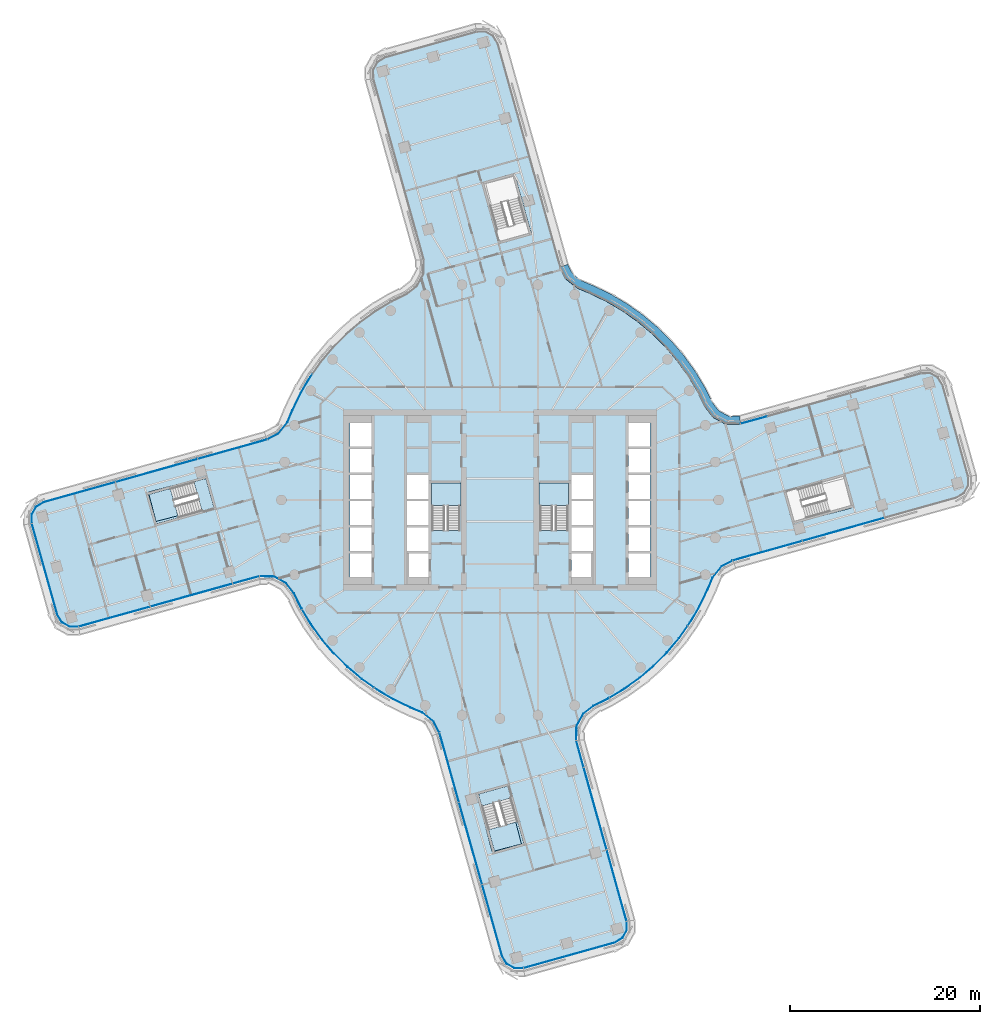
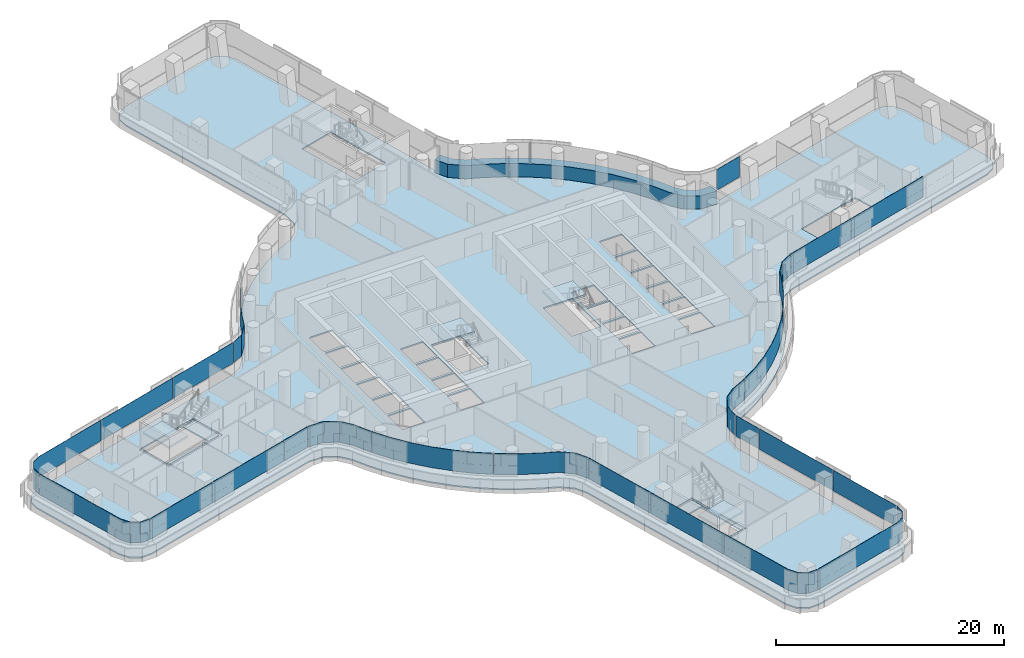
# One storey, part 16 of 30: 24 plates, 7 slabs, 1 member, 16 elements without a shape of their own.
"""IFC4 building model written with IfcOpenShell, lengths in metres."""

from ifc_helpers import new_model, si_unit, direction, frame, origin, place, context, subcontext, project, spatial, polyline, outline, extrude, material, layer, layer_set, type_object, element, aggregate, save


model = new_model("IFC4")

# Units and contexts
model_context = context("Model", 3, precision=1e-05, world=origin(), true_north=direction((0.0, 1.0)))
body_context = subcontext(model_context, "Body", "Model", "MODEL_VIEW")
ifc_project = project(units=[si_unit("LENGTHUNIT", "METRE"), si_unit("AREAUNIT", "SQUARE_METRE"), si_unit("VOLUMEUNIT", "CUBIC_METRE"), si_unit("PLANEANGLEUNIT", "RADIAN"), si_unit("MASSUNIT", "GRAM", prefix="KILO")], contexts=[model_context])

# Site, building, storey
site_placement = place(None, origin())
site = spatial("IfcSite", under=ifc_project, at=site_placement, CompositionType="ELEMENT")
building_placement = place(site_placement, origin())
building = spatial("IfcBuilding", under=site, at=building_placement, Name="Tamarind Cross Interchange Tower", CompositionType="ELEMENT")
storey_placement = place(building_placement, frame((0.0, 0.0, 91.0)))
storey = spatial("IfcBuildingStorey", under=building, at=storey_placement, Name="L21", CompositionType="ELEMENT", Elevation=91.0)

# Curtain wall, member
ifc_material_1 = material(Name="Aluminium 6063-T6", Category="aluminium")
ifc_layer_1 = layer(ifc_material_1, 0.159912109375)
ifc_layer_set_1 = layer_set([ifc_layer_1], Name="Aluminium 6063-T6")
curtain_wall_type = type_object("IfcCurtainWallType", Name="Office curtain wall, 9.0 m bays", PredefinedType="NOTDEFINED", material=ifc_layer_set_1)
curtain_wall_1_placement = place(storey_placement, origin())
curtain_wall_1 = element("IfcCurtainWall", 1, at=curtain_wall_1_placement, inside=storey, type_object=curtain_wall_type, Name="CWS-L21-06", PredefinedType="NOTDEFINED")
ifc_material_2 = material(Name="Aluminium and insulated spandrel panel", Category="aluminium")
member_type = type_object("IfcMemberType", Name="Floor-edge blade transom", PredefinedType="USERDEFINED", material=ifc_material_2)
member_placement = place(storey_placement, origin())
member = element("IfcMember", 2, at=member_placement, type_object=member_type, Name="CWT-L21-06", ObjectType="TRANSOM", PredefinedType="USERDEFINED", context=body_context, shape_type="SweptSolid", body=[
    extrude(outline(polyline([(25.32861328125, 7.920166015625), (23.739013671875, 7.9658203125), (22.4296875, 8.677734375), (21.595947265625, 9.740478515625), (20.791015625, 11.367431640625), (19.78125, 13.045654296875), (18.636474609375, 14.634521484375), (17.3642578125, 16.12353515625), (15.973388671875, 17.50244140625), (14.4736328125, 18.76171875), (12.874755859375, 19.892822265625), (11.188232421875, 20.88818359375), (9.421875, 21.7421875), (8.130126953125, 22.275390625), (6.89794921875, 23.25927734375), (6.27001953125, 24.455078125), (7.11083984375, 24.78955078125), (7.607177734375, 23.844970703125), (8.591796875, 23.058349609375), (9.789794921875, 22.56396484375), (11.613525390625, 21.68212890625), (13.3642578125, 20.64892578125), (15.023681640625, 19.474853515625), (16.580810546875, 18.167724609375), (18.0244140625, 16.736572265625), (19.344970703125, 15.19091796875), (20.533203125, 13.54150390625), (21.581298828125, 11.7998046875), (22.361328125, 10.222900390625), (23.02294921875, 9.379638671875), (23.97998046875, 8.859375), (25.218017578125, 8.82373046875), (25.32861328125, 7.920166015625)])), origin(), (0.0, 0.0, 1.0), 1.39990234375),
])
aggregate(curtain_wall_1, [member])

# Slabs
ifc_material_3 = material(Name="Concrete C35", Category="concrete")
ifc_layer_2 = layer(ifc_material_3, 0.139892578125)
ifc_layer_set_2 = layer_set([ifc_layer_2], Name="Concrete C35")
slab_type_1 = type_object("IfcSlabType", Name="Composite slab 140 Concrete C35", PredefinedType="FLOOR", material=ifc_layer_set_2)
slab_1_placement = place(storey_placement, frame((0.0, 0.0, -0.139892578125)))
element("IfcSlab", 3, at=slab_1_placement, inside=storey, type_object=slab_type_1, Name="Floor slab L21", PredefinedType="FLOOR", context=body_context, shape_type="SweptSolid", body=[
    extrude(outline(polyline([(-7.134521484375, -23.45458984375), (-6.55029296875, -24.566650390625), (0.044189453125, -48.07080078125), (0.572265625, -48.96142578125), (1.474853515625, -49.468505859375), (2.510009765625, -49.456298828125), (12.13818359375, -46.7548828125), (13.02880859375, -46.226806640625), (13.535888671875, -45.32421875), (13.523681640625, -44.2890625), (8.221435546875, -25.291748046875), (8.263671875, -23.8193359375), (8.911865234375, -22.62744140625), (9.9013671875, -21.85107421875), (11.511474609375, -21.054443359375), (13.2109375, -20.031982421875), (14.820068359375, -18.87255859375), (16.327880859375, -17.584228515625), (17.72412109375, -16.17578125), (18.99951171875, -14.656982421875), (20.14501953125, -13.0380859375), (21.15283203125, -11.329833984375), (22.01611328125, -9.54443359375), (22.536376953125, -8.2841796875), (23.45458984375, -7.134521484375), (24.566650390625, -6.55029296875), (48.07080078125, 0.044189453125), (48.96142578125, 0.572265625), (49.468505859375, 1.474853515625), (49.456298828125, 2.510009765625), (46.7548828125, 12.13818359375), (46.226806640625, 13.02880859375), (45.32421875, 13.535888671875), (44.2890625, 13.523681640625), (25.291748046875, 8.221435546875), (23.8193359375, 8.263671875), (22.62744140625, 8.911865234375), (21.85107421875, 9.9013671875), (21.054443359375, 11.511474609375), (20.031982421875, 13.2109375), (18.87255859375, 14.820068359375), (17.584228515625, 16.327880859375), (16.17578125, 17.72412109375), (14.656982421875, 18.99951171875), (13.0380859375, 20.14501953125), (11.329833984375, 21.15283203125), (9.54443359375, 22.01611328125), (8.2841796875, 22.536376953125), (7.134521484375, 23.45458984375), (6.55029296875, 24.566650390625), (-0.044189453125, 48.07080078125), (-0.572265625, 48.96142578125), (-1.474853515625, 49.468505859375), (-2.510009765625, 49.456298828125), (-12.13818359375, 46.7548828125), (-13.02880859375, 46.226806640625), (-13.535888671875, 45.32421875), (-13.523681640625, 44.2890625), (-8.221435546875, 25.291748046875), (-8.263671875, 23.8193359375), (-8.911865234375, 22.62744140625), (-9.9013671875, 21.85107421875), (-11.511474609375, 21.054443359375), (-13.2109375, 20.031982421875), (-14.820068359375, 18.87255859375), (-16.327880859375, 17.584228515625), (-17.72412109375, 16.17578125), (-18.99951171875, 14.656982421875), (-20.14501953125, 13.0380859375), (-21.15283203125, 11.329833984375), (-22.01611328125, 9.54443359375), (-22.536376953125, 8.2841796875), (-23.45458984375, 7.134521484375), (-24.566650390625, 6.55029296875), (-48.07080078125, -0.044189453125), (-48.96142578125, -0.572265625), (-49.468505859375, -1.474853515625), (-49.456298828125, -2.510009765625), (-46.7548828125, -12.13818359375), (-46.226806640625, -13.02880859375), (-45.32421875, -13.535888671875), (-44.2890625, -13.523681640625), (-25.291748046875, -8.221435546875), (-23.8193359375, -8.263671875), (-22.62744140625, -8.911865234375), (-21.85107421875, -9.9013671875), (-21.054443359375, -11.511474609375), (-20.031982421875, -13.2109375), (-18.87255859375, -14.820068359375), (-17.584228515625, -16.327880859375), (-16.17578125, -17.72412109375), (-14.656982421875, -18.99951171875), (-13.0380859375, -20.14501953125), (-11.329833984375, -21.15283203125), (-9.54443359375, -22.01611328125), (-8.2841796875, -22.536376953125), (-7.134521484375, -23.45458984375)]), holes=[polyline([(-13.5, -8.125), (-15.800048828125, -8.125), (-15.800048828125, -5.625), (-13.5, -5.625), (-13.5, -8.125)]), polyline([(-13.5, -5.375), (-15.800048828125, -5.375), (-15.800048828125, -2.875), (-13.5, -2.875), (-13.5, -5.375)]), polyline([(-7.5, -5.375), (-9.800048828125, -5.375), (-9.800048828125, -2.875), (-7.5, -2.875), (-7.5, -5.375)]), polyline([(-29.834228515625, -0.95166015625), (-36.28515625, -2.761474609375), (-36.339111328125, -2.56884765625), (-37.20361328125, 0.51220703125), (-37.257568359375, 0.70458984375), (-36.98291015625, 0.78173828125), (-36.998291015625, 0.83984375), (-33.815185546875, 1.67041015625), (-30.806640625, 2.514404296875), (-30.752685546875, 2.322021484375), (-29.88818359375, -0.759033203125), (-29.834228515625, -0.95166015625)]), polyline([(-15.800048828125, -2.625), (-15.800048828125, -0.125), (-13.5, -0.125), (-13.5, -2.625), (-15.800048828125, -2.625)]), polyline([(-7.5, -2.625), (-9.800048828125, -2.625), (-9.800048828125, -0.125), (-7.5, -0.125), (-7.5, -2.625)]), polyline([(-15.800048828125, 0.125), (-15.800048828125, 2.625), (-13.5, 2.625), (-13.5, 0.125), (-15.800048828125, 0.125)]), polyline([(-7.5, 0.125), (-9.800048828125, 0.125), (-9.800048828125, 2.625), (-7.5, 2.625), (-7.5, 0.125)]), polyline([(-13.5, 2.875), (-15.800048828125, 2.875), (-15.800048828125, 5.375), (-13.5, 5.375), (-13.5, 2.875)]), polyline([(-15.800048828125, 5.625), (-15.800048828125, 8.125), (-13.5, 8.125), (-13.5, 5.625), (-15.800048828125, 5.625)]), polyline([(-1.67041015625, -33.815185546875), (-2.514404296875, -30.806640625), (-2.322021484375, -30.752685546875), (0.759033203125, -29.88818359375), (0.95166015625, -29.834228515625), (2.761474609375, -36.28515625), (2.56884765625, -36.339111328125), (-0.51220703125, -37.20361328125), (-0.70458984375, -37.257568359375), (-0.78173828125, -36.98291015625), (-0.839599609375, -36.998291015625), (-1.67041015625, -33.815185546875)]), polyline([(-9.800048828125, -8.125), (-9.800048828125, -5.625), (-7.5, -5.625), (-7.5, -8.125), (-9.800048828125, -8.125)]), polyline([(9.800048828125, -0.125), (9.800048828125, -2.625), (7.5, -2.625), (7.5, -0.125), (9.800048828125, -0.125)]), polyline([(-4.199951171875, 1.800048828125), (-4.199951171875, -3.18798828125), (-7.14990234375, -3.18798828125), (-7.14990234375, 1.800048828125), (-4.199951171875, 1.800048828125)]), polyline([(7.14990234375, 1.800048828125), (7.14990234375, -3.18798828125), (4.199951171875, -3.18798828125), (4.199951171875, 1.800048828125), (7.14990234375, 1.800048828125)]), polyline([(-1.951171875, 33.396484375), (-1.758544921875, 33.45068359375), (1.322509765625, 34.315185546875), (1.51513671875, 34.369140625), (1.59228515625, 34.093994140625), (1.597412109375, 34.095458984375), (1.67041015625, 33.815185546875), (3.324951171875, 27.918212890625), (3.13232421875, 27.8642578125), (0.05126953125, 26.999755859375), (-0.14111328125, 26.94580078125), (-1.951171875, 33.396484375)]), polyline([(7.5, -5.625), (9.800048828125, -5.625), (9.800048828125, -8.125), (7.5, -8.125), (7.5, -5.625)]), polyline([(15.800048828125, -5.625), (15.800048828125, -8.125), (13.5, -8.125), (13.5, -5.625), (15.800048828125, -5.625)]), polyline([(9.800048828125, -2.875), (9.800048828125, -5.375), (7.5, -5.375), (7.5, -2.875), (9.800048828125, -2.875)]), polyline([(13.5, -2.875), (15.800048828125, -2.875), (15.800048828125, -5.375), (13.5, -5.375), (13.5, -2.875)]), polyline([(33.815185546875, -1.67041015625), (30.806640625, -2.514404296875), (30.752685546875, -2.322021484375), (29.88818359375, 0.759033203125), (29.834228515625, 0.95166015625), (36.28515625, 2.761474609375), (36.339111328125, 2.56884765625), (37.20361328125, -0.51220703125), (37.257568359375, -0.70458984375), (36.98291015625, -0.78173828125), (36.998291015625, -0.839599609375), (33.815185546875, -1.67041015625)]), polyline([(13.5, -0.125), (15.800048828125, -0.125), (15.800048828125, -2.625), (13.5, -2.625), (13.5, -0.125)]), polyline([(9.800048828125, 2.625), (9.800048828125, 0.125), (7.5, 0.125), (7.5, 2.625), (9.800048828125, 2.625)]), polyline([(15.800048828125, 2.625), (15.800048828125, 0.125), (13.5, 0.125), (13.5, 2.625), (15.800048828125, 2.625)]), polyline([(15.800048828125, 5.375), (15.800048828125, 2.875), (13.5, 2.875), (13.5, 5.375), (15.800048828125, 5.375)]), polyline([(15.800048828125, 8.125), (15.800048828125, 5.625), (13.5, 5.625), (13.5, 8.125), (15.800048828125, 8.125)])]), origin(), (0.0, 0.0, 1.0), 0.139892578125),
])
slab_2_placement = place(storey_placement, frame((0.0, 0.0, -0.139892578125)))
element("IfcSlab", 4, at=slab_2_placement, inside=storey, type_object=slab_type_1, Name="Floor slab L21", PredefinedType="FLOOR", context=body_context, shape_type="SweptSolid", body=[
    extrude(outline(polyline([(-30.080810546875, -0.81298828125), (-30.9453125, 2.26806640625), (-32.20849609375, 1.91357421875), (-31.389892578125, -1.00390625), (-36.190185546875, -2.256591796875), (-36.9326171875, 0.588134765625), (-37.010986328125, 0.566162109375), (-36.146484375, -2.514892578125), (-30.080810546875, -0.81298828125)])), origin(), (0.0, 0.0, 1.0), 0.139892578125),
])
slab_3_placement = place(storey_placement, frame((0.0, 0.0, -0.139892578125)))
element("IfcSlab", 5, at=slab_3_placement, inside=storey, type_object=slab_type_1, Name="Floor slab L21", PredefinedType="FLOOR", context=body_context, shape_type="SweptSolid", body=[
    extrude(outline(polyline([(-0.566162109375, -37.010986328125), (2.514892578125, -36.146484375), (0.81298828125, -30.080810546875), (-2.26806640625, -30.9453125), (-1.91357421875, -32.20849609375), (1.00390625, -31.389892578125), (2.256591796875, -36.190185546875), (-0.588134765625, -36.9326171875), (-0.566162109375, -37.010986328125)])), origin(), (0.0, 0.0, 1.0), 0.139892578125),
])

# Stair, slab
ifc_material_4 = material(Name="Exit stair")
stair_type = type_object("IfcStairType", Name="Exit stair", PredefinedType="HALF_TURN_STAIR", material=ifc_material_4)
stair_1_placement = place(storey_placement, origin())
stair_1 = element("IfcStair", 6, at=stair_1_placement, inside=storey, type_object=stair_type, Name="L21 exit stair ST1", PredefinedType="HALF_TURN_STAIR")
ifc_material_5 = material(Name="Concrete C40", Category="concrete")
ifc_layer_3 = layer(ifc_material_5, 0.199951171875)
ifc_layer_set_3 = layer_set([ifc_layer_3], Name="Concrete C40")
slab_type_2 = type_object("IfcSlabType", Name="Stair landing", PredefinedType="LANDING", material=ifc_layer_set_3)
slab_4_placement = place(storey_placement, frame((0.0, 0.0, 1.675048828125)))
slab_4 = element("IfcSlab", 7, at=slab_4_placement, type_object=slab_type_2, Name="ST1 landing 1", PredefinedType="LANDING", context=body_context, shape_type="SweptSolid", body=[
    extrude(outline(polyline([(-4.10009765625, -0.60009765625), (-4.10009765625, 1.800048828125), (-7.199951171875, 1.800048828125), (-7.199951171875, -0.60009765625), (-4.10009765625, -0.60009765625)])), origin(), (0.0, 0.0, 1.0), 0.199951171875),
])
aggregate(stair_1, [slab_4])

stair_2_placement = place(storey_placement, origin())
stair_2 = element("IfcStair", 8, at=stair_2_placement, inside=storey, type_object=stair_type, Name="L21 exit stair ST2", PredefinedType="HALF_TURN_STAIR")
slab_5_placement = place(storey_placement, frame((0.0, 0.0, 1.675048828125)))
slab_5 = element("IfcSlab", 9, at=slab_5_placement, type_object=slab_type_2, Name="ST2 landing 1", PredefinedType="LANDING", context=body_context, shape_type="SweptSolid", body=[
    extrude(outline(polyline([(7.199951171875, -0.60009765625), (7.199951171875, 1.800048828125), (4.10009765625, 1.800048828125), (4.10009765625, -0.60009765625), (7.199951171875, -0.60009765625)])), origin(), (0.0, 0.0, 1.0), 0.199951171875),
])
aggregate(stair_2, [slab_5])

stair_3_placement = place(storey_placement, origin())
stair_3 = element("IfcStair", 10, at=stair_3_placement, inside=storey, type_object=stair_type, Name="L21 exit stair ST5", PredefinedType="HALF_TURN_STAIR")
slab_6_placement = place(storey_placement, frame((0.0, 0.0, 1.675048828125)))
slab_6 = element("IfcSlab", 11, at=slab_6_placement, type_object=slab_type_2, Name="ST5 landing 1", PredefinedType="LANDING", context=body_context, shape_type="SweptSolid", body=[
    extrude(outline(polyline([(-34.688720703125, 1.2177734375), (-37.010986328125, 0.566162109375), (-36.146484375, -2.514892578125), (-33.82421875, -1.86328125), (-34.688720703125, 1.2177734375)])), origin(), (0.0, 0.0, 1.0), 0.199951171875),
])
aggregate(stair_3, [slab_6])

stair_4_placement = place(storey_placement, origin())
stair_4 = element("IfcStair", 12, at=stair_4_placement, inside=storey, type_object=stair_type, Name="L21 exit stair ST6", PredefinedType="HALF_TURN_STAIR")
slab_7_placement = place(storey_placement, frame((0.0, 0.0, 1.675048828125)))
slab_7 = element("IfcSlab", 13, at=slab_7_placement, type_object=slab_type_2, Name="ST6 landing 1", PredefinedType="LANDING", context=body_context, shape_type="SweptSolid", body=[
    extrude(outline(polyline([(-1.2177734375, -34.688720703125), (-0.566162109375, -37.010986328125), (2.514892578125, -36.146484375), (1.86328125, -33.82421875), (-1.2177734375, -34.688720703125)])), origin(), (0.0, 0.0, 1.0), 0.199951171875),
])
aggregate(stair_4, [slab_7])

# Curtain wall, plate
curtain_wall_2_placement = place(storey_placement, origin())
curtain_wall_2 = element("IfcCurtainWall", 14, at=curtain_wall_2_placement, inside=storey, type_object=curtain_wall_type, Name="CWS-L21-00", PredefinedType="NOTDEFINED")
ifc_material_6 = material(Name="Laminated low-e glass 8+1.52+8", Category="glass")
ifc_layer_4 = layer(ifc_material_6, 0.028076171875)
ifc_layer_set_4 = layer_set([ifc_layer_4], Name="Laminated low-e glass 8+1.52+8")
plate_type = type_object("IfcPlateType", Name="Vision panel CW1", PredefinedType="CURTAIN_PANEL", material=ifc_layer_set_4)
plate_1_placement = place(storey_placement, frame((0.0, 0.0, 1.39990234375)))
plate_1 = element("IfcPlate", 15, at=plate_1_placement, type_object=plate_type, Name="CWP-L21-00-00", PredefinedType="CURTAIN_PANEL", context=body_context, shape_type="SweptSolid", body=[
    extrude(outline(polyline([(2.506591796875, -49.235107421875), (12.053466796875, -46.556640625), (12.870361328125, -46.072021484375), (13.3212890625, -45.26953125), (13.310302734375, -44.347900390625), (13.33837890625, -44.347412109375), (13.349365234375, -45.276611328125), (12.89111328125, -46.09228515625), (12.064453125, -46.58251953125), (2.51416015625, -49.261962890625), (2.506591796875, -49.235107421875)])), origin(), (0.0, 0.0, 1.0), 2.210205078125),
])
aggregate(curtain_wall_2, [plate_1])

# Curtain wall, plates
curtain_wall_3_placement = place(storey_placement, origin())
curtain_wall_3 = element("IfcCurtainWall", 16, at=curtain_wall_3_placement, inside=storey, type_object=curtain_wall_type, Name="CWS-L21-01", PredefinedType="NOTDEFINED")
plate_2_placement = place(storey_placement, frame((0.0, 0.0, 1.39990234375)))
plate_2 = element("IfcPlate", 17, at=plate_2_placement, type_object=plate_type, Name="CWP-L21-01-00", PredefinedType="CURTAIN_PANEL", context=body_context, shape_type="SweptSolid", body=[
    extrude(outline(polyline([(13.302490234375, -44.29248046875), (11.217529296875, -36.82275390625), (11.24462890625, -36.815185546875), (13.329345703125, -44.284912109375), (13.302490234375, -44.29248046875)])), origin(), (0.0, 0.0, 1.0), 2.210205078125),
])
plate_3_placement = place(storey_placement, frame((0.0, 0.0, 1.39990234375)))
plate_3 = element("IfcPlate", 18, at=plate_3_placement, type_object=plate_type, Name="CWP-L21-01-01", PredefinedType="CURTAIN_PANEL", context=body_context, shape_type="SweptSolid", body=[
    extrude(outline(polyline([(11.201416015625, -36.764892578125), (8.797607421875, -28.152099609375), (8.82470703125, -28.144775390625), (11.228515625, -36.75732421875), (11.201416015625, -36.764892578125)])), origin(), (0.0, 0.0, 1.0), 2.210205078125),
])
plate_4_placement = place(storey_placement, frame((0.0, 0.0, 1.39990234375)))
plate_4 = element("IfcPlate", 19, at=plate_4_placement, type_object=plate_type, Name="CWP-L21-01-02", PredefinedType="CURTAIN_PANEL", context=body_context, shape_type="SweptSolid", body=[
    extrude(outline(polyline([(8.781494140625, -28.094482421875), (8.01513671875, -25.34912109375), (8.042236328125, -25.341552734375), (8.80859375, -28.0869140625), (8.781494140625, -28.094482421875)])), origin(), (0.0, 0.0, 1.0), 2.210205078125),
])
aggregate(curtain_wall_3, [plate_2, plate_3, plate_4])

curtain_wall_4_placement = place(storey_placement, origin())
curtain_wall_4 = element("IfcCurtainWall", 20, at=curtain_wall_4_placement, inside=storey, type_object=curtain_wall_type, Name="CWS-L21-02", PredefinedType="NOTDEFINED")
plate_5_placement = place(storey_placement, frame((0.0, 0.0, 1.39990234375)))
plate_5 = element("IfcPlate", 21, at=plate_5_placement, type_object=plate_type, Name="CWP-L21-02-00", PredefinedType="CURTAIN_PANEL", context=body_context, shape_type="SweptSolid", body=[
    extrude(outline(polyline([(8.007568359375, -25.285888671875), (8.05126953125, -23.761962890625), (8.744873046875, -22.486328125), (9.78662109375, -21.669189453125), (11.40869140625, -20.866455078125), (11.48486328125, -20.82080078125), (11.499267578125, -20.8447265625), (11.422119140625, -20.89111328125), (9.8017578125, -21.69287109375), (8.7666015625, -22.504638671875), (8.0791015625, -23.76953125), (8.03564453125, -25.286865234375), (8.007568359375, -25.285888671875)])), origin(), (0.0, 0.0, 1.0), 2.210205078125),
])
plate_6_placement = place(storey_placement, frame((0.0, 0.0, 1.39990234375)))
plate_6 = element("IfcPlate", 22, at=plate_6_placement, type_object=plate_type, Name="CWP-L21-02-01", PredefinedType="CURTAIN_PANEL", context=body_context, shape_type="SweptSolid", body=[
    extrude(outline(polyline([(11.5361328125, -20.789794921875), (13.093017578125, -19.85302734375), (14.687744140625, -18.7041015625), (16.18212890625, -17.42724609375), (17.56591796875, -16.031494140625), (18.829833984375, -14.526123046875), (19.713623046875, -13.27685546875), (19.736572265625, -13.293212890625), (18.85205078125, -14.543212890625), (17.586669921875, -16.05029296875), (16.201171875, -17.44775390625), (14.705078125, -18.72607421875), (13.1083984375, -19.87646484375), (11.550537109375, -20.81396484375), (11.5361328125, -20.789794921875)])), origin(), (0.0, 0.0, 1.0), 2.210205078125),
])
plate_7_placement = place(storey_placement, frame((0.0, 0.0, 1.39990234375)))
plate_7 = element("IfcPlate", 23, at=plate_7_placement, type_object=plate_type, Name="CWP-L21-02-02", PredefinedType="CURTAIN_PANEL", context=body_context, shape_type="SweptSolid", body=[
    extrude(outline(polyline([(19.748291015625, -13.22802734375), (19.965087890625, -12.921630859375), (20.9638671875, -11.228759765625), (21.82080078125, -9.45703125), (22.35009765625, -8.17431640625), (23.315185546875, -6.9658203125), (24.459228515625, -6.364990234375), (24.47216796875, -6.3896484375), (23.33349609375, -6.98779296875), (22.37451171875, -8.188720703125), (21.84619140625, -9.46826171875), (20.98876953125, -11.241943359375), (19.988525390625, -12.936767578125), (19.771240234375, -13.244140625), (19.748291015625, -13.22802734375)])), origin(), (0.0, 0.0, 1.0), 2.210205078125),
])
aggregate(curtain_wall_4, [plate_5, plate_6, plate_7])

curtain_wall_5_placement = place(storey_placement, origin())
curtain_wall_5 = element("IfcCurtainWall", 24, at=curtain_wall_5_placement, inside=storey, type_object=curtain_wall_type, Name="CWS-L21-03", PredefinedType="NOTDEFINED")
plate_8_placement = place(storey_placement, frame((0.0, 0.0, 1.39990234375)))
plate_8 = element("IfcPlate", 25, at=plate_8_placement, type_object=plate_type, Name="CWP-L21-03-00", PredefinedType="CURTAIN_PANEL", context=body_context, shape_type="SweptSolid", body=[
    extrude(outline(polyline([(24.517333984375, -6.341796875), (31.773681640625, -4.305908203125), (31.78125, -4.332763671875), (24.52490234375, -6.36865234375), (24.517333984375, -6.341796875)])), origin(), (0.0, 0.0, 1.0), 2.210205078125),
])
plate_9_placement = place(storey_placement, frame((0.0, 0.0, 1.39990234375)))
plate_9 = element("IfcPlate", 26, at=plate_9_placement, type_object=plate_type, Name="CWP-L21-03-01", PredefinedType="CURTAIN_PANEL", context=body_context, shape_type="SweptSolid", body=[
    extrude(outline(polyline([(31.83154296875, -4.289794921875), (40.437255859375, -1.875244140625), (40.44482421875, -1.902099609375), (31.839111328125, -4.316650390625), (31.83154296875, -4.289794921875)])), origin(), (0.0, 0.0, 1.0), 2.210205078125),
])
aggregate(curtain_wall_5, [plate_8, plate_9])

# Curtain wall, plate
curtain_wall_6_placement = place(storey_placement, origin())
curtain_wall_6 = element("IfcCurtainWall", 27, at=curtain_wall_6_placement, inside=storey, type_object=curtain_wall_type, Name="CWS-L21-05", PredefinedType="NOTDEFINED")
plate_10_placement = place(storey_placement, frame((0.0, 0.0, 1.39990234375)))
plate_10 = element("IfcPlate", 28, at=plate_10_placement, type_object=plate_type, Name="CWP-L21-05-02", PredefinedType="CURTAIN_PANEL", context=body_context, shape_type="SweptSolid", body=[
    extrude(outline(polyline([(28.094482421875, 8.781494140625), (25.34912109375, 8.01513671875), (25.341552734375, 8.042236328125), (28.0869140625, 8.80859375), (28.094482421875, 8.781494140625)])), origin(), (0.0, 0.0, 1.0), 2.210205078125),
])
aggregate(curtain_wall_6, [plate_10])

curtain_wall_7_placement = place(storey_placement, origin())
curtain_wall_7 = element("IfcCurtainWall", 29, at=curtain_wall_7_placement, inside=storey, type_object=curtain_wall_type, Name="CWS-L21-10", PredefinedType="NOTDEFINED")
plate_11_placement = place(storey_placement, frame((0.0, 0.0, 1.39990234375)))
plate_11 = element("IfcPlate", 30, at=plate_11_placement, type_object=plate_type, Name="CWP-L21-10-02", PredefinedType="CURTAIN_PANEL", context=body_context, shape_type="SweptSolid", body=[
    extrude(outline(polyline([(-19.748291015625, 13.22802734375), (-19.965087890625, 12.921630859375), (-20.9638671875, 11.228759765625), (-21.82080078125, 9.45703125), (-22.35009765625, 8.17431640625), (-23.315185546875, 6.9658203125), (-24.459228515625, 6.364990234375), (-24.47216796875, 6.3896484375), (-23.33349609375, 6.98779296875), (-22.37451171875, 8.188720703125), (-21.84619140625, 9.46826171875), (-20.98876953125, 11.241943359375), (-19.988525390625, 12.936767578125), (-19.771240234375, 13.244140625), (-19.748291015625, 13.22802734375)])), origin(), (0.0, 0.0, 1.0), 2.210205078125),
])
aggregate(curtain_wall_7, [plate_11])

# Curtain wall, plates
curtain_wall_8_placement = place(storey_placement, origin())
curtain_wall_8 = element("IfcCurtainWall", 31, at=curtain_wall_8_placement, inside=storey, type_object=curtain_wall_type, Name="CWS-L21-11", PredefinedType="NOTDEFINED")
plate_12_placement = place(storey_placement, frame((0.0, 0.0, 1.39990234375)))
plate_12 = element("IfcPlate", 32, at=plate_12_placement, type_object=plate_type, Name="CWP-L21-11-00", PredefinedType="CURTAIN_PANEL", context=body_context, shape_type="SweptSolid", body=[
    extrude(outline(polyline([(-24.517333984375, 6.341796875), (-31.773681640625, 4.305908203125), (-31.78125, 4.332763671875), (-24.52490234375, 6.36865234375), (-24.517333984375, 6.341796875)])), origin(), (0.0, 0.0, 1.0), 2.210205078125),
])
plate_13_placement = place(storey_placement, frame((0.0, 0.0, 1.39990234375)))
plate_13 = element("IfcPlate", 33, at=plate_13_placement, type_object=plate_type, Name="CWP-L21-11-01", PredefinedType="CURTAIN_PANEL", context=body_context, shape_type="SweptSolid", body=[
    extrude(outline(polyline([(-31.83154296875, 4.289794921875), (-40.437255859375, 1.875244140625), (-40.44482421875, 1.902099609375), (-31.839111328125, 4.316650390625), (-31.83154296875, 4.289794921875)])), origin(), (0.0, 0.0, 1.0), 2.210205078125),
])
plate_14_placement = place(storey_placement, frame((0.0, 0.0, 1.39990234375)))
plate_14 = element("IfcPlate", 34, at=plate_14_placement, type_object=plate_type, Name="CWP-L21-11-02", PredefinedType="CURTAIN_PANEL", context=body_context, shape_type="SweptSolid", body=[
    extrude(outline(polyline([(-40.4951171875, 1.859130859375), (-47.986083984375, -0.24267578125), (-48.802978515625, -0.72705078125), (-49.25390625, -1.52978515625), (-49.242919921875, -2.451171875), (-49.27099609375, -2.45166015625), (-49.281982421875, -1.5224609375), (-48.82373046875, -0.706787109375), (-47.9970703125, -0.216552734375), (-40.502685546875, 1.885986328125), (-40.4951171875, 1.859130859375)])), origin(), (0.0, 0.0, 1.0), 2.210205078125),
])
aggregate(curtain_wall_8, [plate_12, plate_13, plate_14])

# Curtain wall, plate
curtain_wall_9_placement = place(storey_placement, origin())
curtain_wall_9 = element("IfcCurtainWall", 35, at=curtain_wall_9_placement, inside=storey, type_object=curtain_wall_type, Name="CWS-L21-12", PredefinedType="NOTDEFINED")
plate_15_placement = place(storey_placement, frame((0.0, 0.0, 1.39990234375)))
plate_15 = element("IfcPlate", 36, at=plate_15_placement, type_object=plate_type, Name="CWP-L21-12-00", PredefinedType="CURTAIN_PANEL", context=body_context, shape_type="SweptSolid", body=[
    extrude(outline(polyline([(-49.235107421875, -2.506591796875), (-46.556640625, -12.053466796875), (-46.072021484375, -12.870361328125), (-45.26953125, -13.3212890625), (-44.347900390625, -13.310302734375), (-44.347412109375, -13.33837890625), (-45.276611328125, -13.349365234375), (-46.09228515625, -12.89111328125), (-46.58251953125, -12.064453125), (-49.261962890625, -2.51416015625), (-49.235107421875, -2.506591796875)])), origin(), (0.0, 0.0, 1.0), 2.210205078125),
])
aggregate(curtain_wall_9, [plate_15])

# Curtain wall, plates
curtain_wall_10_placement = place(storey_placement, origin())
curtain_wall_10 = element("IfcCurtainWall", 37, at=curtain_wall_10_placement, inside=storey, type_object=curtain_wall_type, Name="CWS-L21-13", PredefinedType="NOTDEFINED")
plate_16_placement = place(storey_placement, frame((0.0, 0.0, 1.39990234375)))
plate_16 = element("IfcPlate", 38, at=plate_16_placement, type_object=plate_type, Name="CWP-L21-13-00", PredefinedType="CURTAIN_PANEL", context=body_context, shape_type="SweptSolid", body=[
    extrude(outline(polyline([(-44.29248046875, -13.302490234375), (-36.82275390625, -11.217529296875), (-36.815185546875, -11.24462890625), (-44.284912109375, -13.329345703125), (-44.29248046875, -13.302490234375)])), origin(), (0.0, 0.0, 1.0), 2.210205078125),
])
plate_17_placement = place(storey_placement, frame((0.0, 0.0, 1.39990234375)))
plate_17 = element("IfcPlate", 39, at=plate_17_placement, type_object=plate_type, Name="CWP-L21-13-01", PredefinedType="CURTAIN_PANEL", context=body_context, shape_type="SweptSolid", body=[
    extrude(outline(polyline([(-36.764892578125, -11.201416015625), (-28.152099609375, -8.797607421875), (-28.144775390625, -8.82470703125), (-36.75732421875, -11.228515625), (-36.764892578125, -11.201416015625)])), origin(), (0.0, 0.0, 1.0), 2.210205078125),
])
plate_18_placement = place(storey_placement, frame((0.0, 0.0, 1.39990234375)))
plate_18 = element("IfcPlate", 40, at=plate_18_placement, type_object=plate_type, Name="CWP-L21-13-02", PredefinedType="CURTAIN_PANEL", context=body_context, shape_type="SweptSolid", body=[
    extrude(outline(polyline([(-28.094482421875, -8.781494140625), (-25.34912109375, -8.01513671875), (-25.341552734375, -8.042236328125), (-28.0869140625, -8.80859375), (-28.094482421875, -8.781494140625)])), origin(), (0.0, 0.0, 1.0), 2.210205078125),
])
aggregate(curtain_wall_10, [plate_16, plate_17, plate_18])

curtain_wall_11_placement = place(storey_placement, origin())
curtain_wall_11 = element("IfcCurtainWall", 41, at=curtain_wall_11_placement, inside=storey, type_object=curtain_wall_type, Name="CWS-L21-14", PredefinedType="NOTDEFINED")
plate_19_placement = place(storey_placement, frame((0.0, 0.0, 1.39990234375)))
plate_19 = element("IfcPlate", 42, at=plate_19_placement, type_object=plate_type, Name="CWP-L21-14-00", PredefinedType="CURTAIN_PANEL", context=body_context, shape_type="SweptSolid", body=[
    extrude(outline(polyline([(-25.285888671875, -8.007568359375), (-23.761962890625, -8.05126953125), (-22.486328125, -8.744873046875), (-21.669189453125, -9.78662109375), (-20.866455078125, -11.40869140625), (-20.82080078125, -11.48486328125), (-20.8447265625, -11.499267578125), (-20.89111328125, -11.422119140625), (-21.69287109375, -9.8017578125), (-22.504638671875, -8.7666015625), (-23.76953125, -8.0791015625), (-25.286865234375, -8.03564453125), (-25.285888671875, -8.007568359375)])), origin(), (0.0, 0.0, 1.0), 2.210205078125),
])
plate_20_placement = place(storey_placement, frame((0.0, 0.0, 1.39990234375)))
plate_20 = element("IfcPlate", 43, at=plate_20_placement, type_object=plate_type, Name="CWP-L21-14-01", PredefinedType="CURTAIN_PANEL", context=body_context, shape_type="SweptSolid", body=[
    extrude(outline(polyline([(-20.789794921875, -11.5361328125), (-19.85302734375, -13.093017578125), (-18.7041015625, -14.687744140625), (-17.42724609375, -16.18212890625), (-16.031494140625, -17.56591796875), (-14.526123046875, -18.829833984375), (-13.27685546875, -19.713623046875), (-13.293212890625, -19.736572265625), (-14.543212890625, -18.85205078125), (-16.05029296875, -17.586669921875), (-17.44775390625, -16.201171875), (-18.72607421875, -14.705078125), (-19.87646484375, -13.1083984375), (-20.81396484375, -11.550537109375), (-20.789794921875, -11.5361328125)])), origin(), (0.0, 0.0, 1.0), 2.210205078125),
])
plate_21_placement = place(storey_placement, frame((0.0, 0.0, 1.39990234375)))
plate_21 = element("IfcPlate", 44, at=plate_21_placement, type_object=plate_type, Name="CWP-L21-14-02", PredefinedType="CURTAIN_PANEL", context=body_context, shape_type="SweptSolid", body=[
    extrude(outline(polyline([(-13.22802734375, -19.748291015625), (-12.921630859375, -19.965087890625), (-11.228759765625, -20.9638671875), (-9.45703125, -21.82080078125), (-8.17431640625, -22.35009765625), (-6.9658203125, -23.315185546875), (-6.364990234375, -24.459228515625), (-6.3896484375, -24.47216796875), (-6.98779296875, -23.33349609375), (-8.188720703125, -22.37451171875), (-9.46826171875, -21.84619140625), (-11.241943359375, -20.98876953125), (-12.936767578125, -19.988525390625), (-13.244140625, -19.771240234375), (-13.22802734375, -19.748291015625)])), origin(), (0.0, 0.0, 1.0), 2.210205078125),
])
aggregate(curtain_wall_11, [plate_19, plate_20, plate_21])

curtain_wall_12_placement = place(storey_placement, origin())
curtain_wall_12 = element("IfcCurtainWall", 45, at=curtain_wall_12_placement, inside=storey, type_object=curtain_wall_type, Name="CWS-L21-15", PredefinedType="NOTDEFINED")
plate_22_placement = place(storey_placement, frame((0.0, 0.0, 1.39990234375)))
plate_22 = element("IfcPlate", 46, at=plate_22_placement, type_object=plate_type, Name="CWP-L21-15-00", PredefinedType="CURTAIN_PANEL", context=body_context, shape_type="SweptSolid", body=[
    extrude(outline(polyline([(-6.341796875, -24.517333984375), (-4.305908203125, -31.773681640625), (-4.332763671875, -31.78125), (-6.36865234375, -24.52490234375), (-6.341796875, -24.517333984375)])), origin(), (0.0, 0.0, 1.0), 2.210205078125),
])
plate_23_placement = place(storey_placement, frame((0.0, 0.0, 1.39990234375)))
plate_23 = element("IfcPlate", 47, at=plate_23_placement, type_object=plate_type, Name="CWP-L21-15-01", PredefinedType="CURTAIN_PANEL", context=body_context, shape_type="SweptSolid", body=[
    extrude(outline(polyline([(-4.289794921875, -31.83154296875), (-1.875244140625, -40.437255859375), (-1.902099609375, -40.44482421875), (-4.316650390625, -31.839111328125), (-4.289794921875, -31.83154296875)])), origin(), (0.0, 0.0, 1.0), 2.210205078125),
])
plate_24_placement = place(storey_placement, frame((0.0, 0.0, 1.39990234375)))
plate_24 = element("IfcPlate", 48, at=plate_24_placement, type_object=plate_type, Name="CWP-L21-15-02", PredefinedType="CURTAIN_PANEL", context=body_context, shape_type="SweptSolid", body=[
    extrude(outline(polyline([(-1.859130859375, -40.4951171875), (0.24267578125, -47.986083984375), (0.72705078125, -48.802978515625), (1.52978515625, -49.25390625), (2.451171875, -49.242919921875), (2.45166015625, -49.27099609375), (1.5224609375, -49.281982421875), (0.706787109375, -48.82373046875), (0.216552734375, -47.9970703125), (-1.885986328125, -40.502685546875), (-1.859130859375, -40.4951171875)])), origin(), (0.0, 0.0, 1.0), 2.210205078125),
])
aggregate(curtain_wall_12, [plate_22, plate_23, plate_24])

save(model, "model.ifc")
